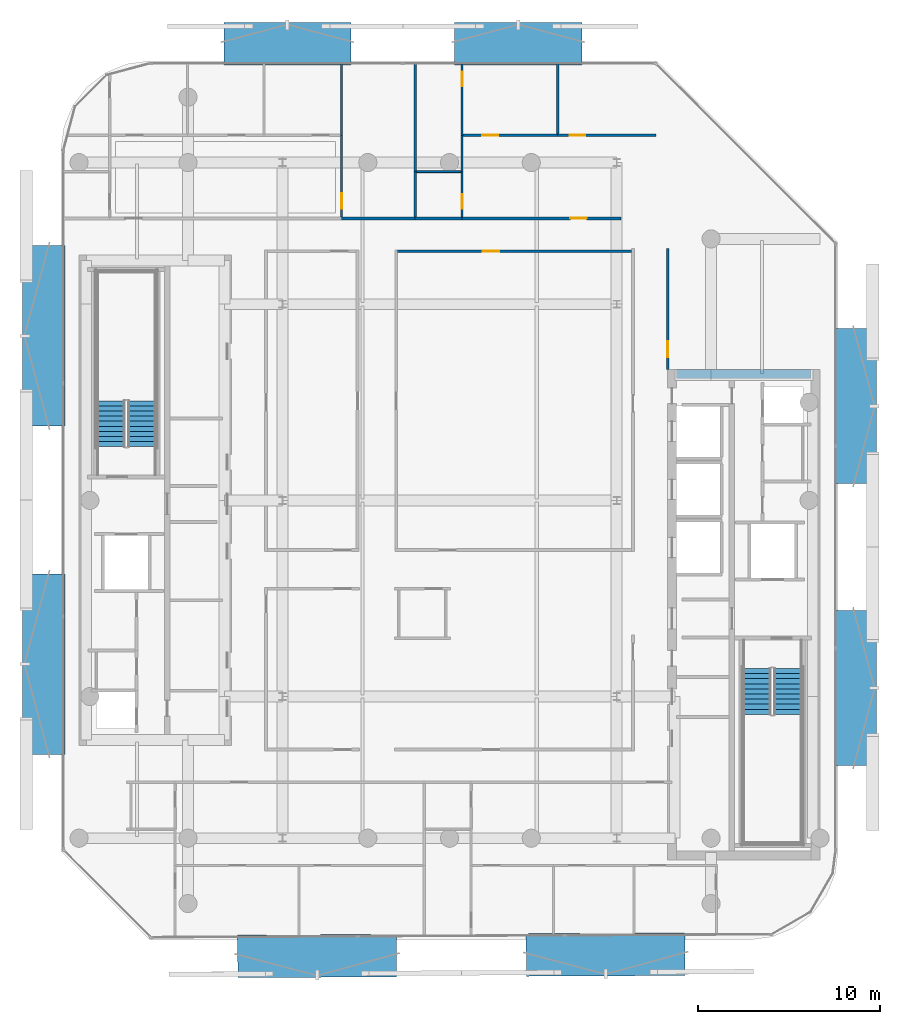
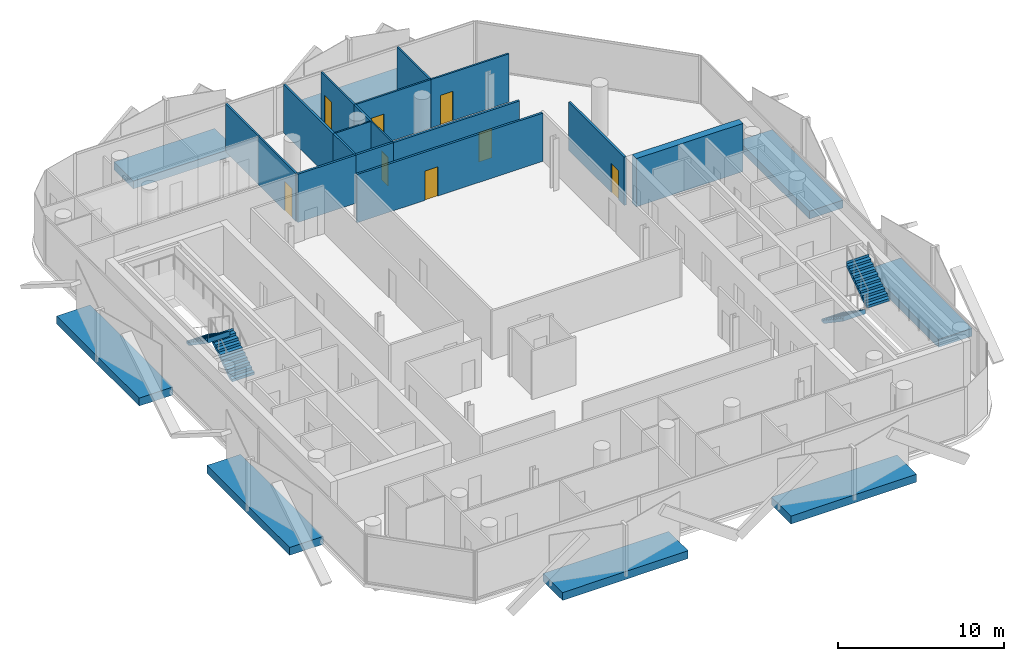
# One storey, part 8 of 16: 17 walls, 8 discrete accessories, 8 doors, 4 stair flights, 8 openings, 2 elements without a shape of their own.
"""IFC4 building model written with IfcOpenShell, lengths in metres."""

from ifc_helpers import new_model, si_unit, direction, frame, frame_2d, origin, origin_2d, place, context, subcontext, project, spatial, polyline, rectangle, outline, extrude, material, layer, layer_set, type_object, element, fill, aggregate, save


model = new_model("IFC4")

# Units and contexts
model_context = context("Model", 3, precision=1e-05, world=origin(), true_north=direction((0.0, 1.0)))
body_context = subcontext(model_context, "Body", "Model", "MODEL_VIEW")
ifc_project = project(units=[si_unit("LENGTHUNIT", "METRE"), si_unit("AREAUNIT", "SQUARE_METRE"), si_unit("VOLUMEUNIT", "CUBIC_METRE"), si_unit("PLANEANGLEUNIT", "RADIAN"), si_unit("MASSUNIT", "GRAM", prefix="KILO")], contexts=[model_context])

# Site, building, storey
site_placement = place(None, origin())
site = spatial("IfcSite", under=ifc_project, at=site_placement, CompositionType="ELEMENT")
building_placement = place(site_placement, origin())
building = spatial("IfcBuilding", under=site, at=building_placement, Name="Khairoan Windgate Tower", CompositionType="ELEMENT")
storey_placement = place(building_placement, frame((0.0, 0.0, 277.60009765625)))
storey = spatial("IfcBuildingStorey", under=building, at=storey_placement, Name="L66", CompositionType="ELEMENT", Elevation=277.60009765625)

# Wall
ifc_material_1 = material(Name="Moisture-Resistant Gypsum Partition", Category="gypsum")
ifc_layer_1 = layer(ifc_material_1, 0.10009765625, Name="Moisture-Resistant Gypsum Partition")
ifc_layer_set_1 = layer_set([ifc_layer_1], Name="Moisture-Resistant Gypsum Partition")
wall_type_1 = type_object("IfcWallType", Name="Bathroom Wet-Area Partition Wall", PredefinedType="PARTITIONING", material=ifc_layer_set_1)
wall_1_placement = place(storey_placement, frame((-1.830078125, 18.10009765625, 0.0), z_axis=(0.0, 0.0, 1.0), x_axis=(1.0, 0.0, 0.0)))
element("IfcWall", 1, at=wall_1_placement, inside=storey, type_object=wall_type_1, Name="L66 Interior Partition 052", PredefinedType="PARTITIONING", context=body_context, shape_type="SweptSolid", body=[
    extrude(rectangle(XDim=2.469970703125, YDim=0.10009765625, at=frame_2d((1.23486328125, 0.0))), origin(), (0.0, 0.0, 1.0), 3.539794921875),
])

# Wall, opening, door
wall_2_placement = place(storey_placement, frame((0.68994140625, 15.60009765625, 0.0), z_axis=(0.0, 0.0, 1.0), x_axis=(0.0, 1.0, 0.0)))
wall_2 = element("IfcWall", 2, at=wall_2_placement, inside=storey, type_object=wall_type_1, Name="L66 Interior Partition 053", PredefinedType="PARTITIONING", context=body_context, shape_type="SweptSolid", body=[
    extrude(rectangle(XDim=2.5, YDim=0.10009765625, at=frame_2d((1.25, 0.0))), origin(), (0.0, 0.0, 1.0), 3.539794921875),
])
opening_1_placement = place(wall_2_placement, frame((0.4599609375, 0.0, 0.0)))
opening_1 = element("IfcOpeningElement", 3, at=opening_1_placement, cuts=wall_2, Name="Opening ID-BTH", PredefinedType="OPENING", context=body_context, shape_type="SweptSolid", body=[
    extrude(rectangle(XDim=0.800048828125, YDim=2.10009765625, at=frame_2d((0.39990234375, 1.050048828125))), frame((0.0, 0.06005859375, 0.0), z_axis=(0.0, -1.0, 0.0), x_axis=(1.0, 0.0, 0.0)), (0.0, 0.0, 1.0), 0.1201171875),
])
ifc_material_2 = material(Name="Teak Veneer Timber Leaf", Category="wood")
door_type_1 = type_object("IfcDoorType", Name="Internal Bathroom Door ID-BTH 800x2100", OperationType="NOTDEFINED", PredefinedType="DOOR", material=ifc_material_2)
door_1_placement = place(opening_1_placement, origin())
door_1 = element("IfcDoor", 4, at=door_1_placement, inside=storey, type_object=door_type_1, Name="L66 L66-42-L66-44 Door", OperationType="SINGLE_SWING_LEFT", OverallHeight=2.10009765625, OverallWidth=0.800048828125, PredefinedType="DOOR", context=body_context, shape_type="SweptSolid", body=[
    extrude(rectangle(XDim=0.800048828125, YDim=2.10009765625, at=frame_2d((0.39990234375, 1.050048828125))), frame((0.0, 0.02490234375, 0.0), z_axis=(0.0, -1.0, 0.0), x_axis=(1.0, 0.0, 0.0)), (0.0, 0.0, 1.0), 0.050048828125),
])
fill(opening_1, door_1)

# Walls
ifc_material_3 = material(Name="Acoustic Fire-Rated Gypsum Partition", Category="gypsum")
ifc_layer_2 = layer(ifc_material_3, 0.139892578125, Name="Acoustic Fire-Rated Gypsum Partition")
ifc_layer_set_2 = layer_set([ifc_layer_2], Name="Acoustic Fire-Rated Gypsum Partition")
wall_type_2 = type_object("IfcWallType", Name="Inter-Tenancy Compartment Wall", PredefinedType="PARTITIONING", material=ifc_layer_set_2)
wall_3_placement = place(storey_placement, frame((-1.89990234375, 15.60009765625, 0.0), z_axis=(0.0, 0.0, 1.0), x_axis=(0.0, 1.0, 0.0)))
element("IfcWall", 5, at=wall_3_placement, inside=storey, type_object=wall_type_2, Name="L66 Interior Partition 048", PredefinedType="PARTITIONING", context=body_context, shape_type="SweptSolid", body=[
    extrude(rectangle(XDim=2.5, YDim=0.139892578125, at=frame_2d((1.25, 0.0))), origin(), (0.0, 0.0, 1.0), 3.539794921875),
])
wall_4_placement = place(storey_placement, frame((-1.89990234375, 18.10009765625, 0.0), z_axis=(0.0, 0.0, 1.0), x_axis=(0.0, 1.0, 0.0)))
element("IfcWall", 6, at=wall_4_placement, inside=storey, type_object=wall_type_2, Name="L66 Interior Partition 049", PredefinedType="PARTITIONING", context=body_context, shape_type="SweptSolid", body=[
    extrude(rectangle(XDim=5.954833984375, YDim=0.139892578125, at=frame_2d((2.9775390625, 0.0))), origin(), (0.0, 0.0, 1.0), 3.539794921875),
])

# Wall, opening, door
ifc_material_4 = material(Name="Gypsum Stud Partition", Category="gypsum")
ifc_layer_3 = layer(ifc_material_4, 0.1201171875, Name="Gypsum Stud Partition")
ifc_layer_set_3 = layer_set([ifc_layer_3], Name="Gypsum Stud Partition")
wall_type_3 = type_object("IfcWallType", Name="Internal Room Partition Wall", PredefinedType="PARTITIONING", material=ifc_layer_set_3)
wall_5_placement = place(storey_placement, frame((-5.93994140625, 15.60009765625, 0.0), z_axis=(0.0, 0.0, 1.0), x_axis=(0.0, 1.0, 0.0)))
wall_5 = element("IfcWall", 7, at=wall_5_placement, inside=storey, type_object=wall_type_3, Name="L66 Interior Partition 043", PredefinedType="PARTITIONING", context=body_context, shape_type="SweptSolid", body=[
    extrude(rectangle(XDim=4.5, YDim=0.1201171875, at=frame_2d((2.25, 0.0))), origin(), (0.0, 0.0, 1.0), 3.539794921875),
])
opening_2_placement = place(wall_5_placement, frame((0.4599609375, 0.0, 0.0)))
opening_2 = element("IfcOpeningElement", 8, at=opening_2_placement, cuts=wall_5, Name="Opening ID-RM", PredefinedType="OPENING", context=body_context, shape_type="SweptSolid", body=[
    extrude(rectangle(XDim=0.860107421875, YDim=2.14990234375, at=frame_2d((0.43017578125, 1.074951171875))), frame((0.0, 0.070068359375, 0.0), z_axis=(0.0, -1.0, 0.0), x_axis=(1.0, 0.0, 0.0)), (0.0, 0.0, 1.0), 0.14013671875),
])
ifc_material_5 = material(Name="Teak Veneer Timber Leaf", Category="wood")
door_type_2 = type_object("IfcDoorType", Name="Internal Bedroom and Office Door ID-RM 860x2150", OperationType="NOTDEFINED", PredefinedType="DOOR", material=ifc_material_5)
door_2_placement = place(opening_2_placement, origin())
door_2 = element("IfcDoor", 9, at=door_2_placement, inside=storey, type_object=door_type_2, Name="L66 L66-37-L66-38 Door", OperationType="SINGLE_SWING_LEFT", OverallHeight=2.14990234375, OverallWidth=0.860107421875, PredefinedType="DOOR", context=body_context, shape_type="SweptSolid", body=[
    extrude(rectangle(XDim=0.860107421875, YDim=2.14990234375, at=frame_2d((0.43017578125, 1.074951171875))), frame((0.0, 0.02490234375, 0.0), z_axis=(0.0, -1.0, 0.0), x_axis=(1.0, 0.0, 0.0)), (0.0, 0.0, 1.0), 0.050048828125),
])
fill(opening_2, door_2)

# Walls
wall_6_placement = place(storey_placement, frame((-5.93994140625, 20.10009765625, 0.0), z_axis=(0.0, 0.0, 1.0), x_axis=(0.0, 1.0, 0.0)))
element("IfcWall", 10, at=wall_6_placement, inside=storey, type_object=wall_type_3, Name="L66 Interior Partition 047", PredefinedType="PARTITIONING", context=body_context, shape_type="SweptSolid", body=[
    extrude(rectangle(XDim=3.954833984375, YDim=0.1201171875, at=frame_2d((1.9775390625, 0.0))), origin(), (0.0, 0.0, 1.0), 3.539794921875),
])
wall_7_placement = place(storey_placement, frame((0.68994140625, 18.10009765625, 0.0), z_axis=(0.0, 0.0, 1.0), x_axis=(0.0, 1.0, 0.0)))
element("IfcWall", 11, at=wall_7_placement, inside=storey, type_object=wall_type_3, Name="L66 Interior Partition 054", PredefinedType="PARTITIONING", context=body_context, shape_type="SweptSolid", body=[
    extrude(rectangle(XDim=2.0, YDim=0.1201171875, at=frame_2d((1.0, 0.0))), origin(), (0.0, 0.0, 1.0), 3.539794921875),
])

# Wall, opening, door
wall_8_placement = place(storey_placement, frame((0.68994140625, 20.10009765625, 0.0), z_axis=(0.0, 0.0, 1.0), x_axis=(0.0, 1.0, 0.0)))
wall_8 = element("IfcWall", 12, at=wall_8_placement, inside=storey, type_object=wall_type_3, Name="L66 Interior Partition 055", PredefinedType="PARTITIONING", context=body_context, shape_type="SweptSolid", body=[
    extrude(rectangle(XDim=3.954833984375, YDim=0.1201171875, at=frame_2d((1.9775390625, 0.0))), origin(), (0.0, 0.0, 1.0), 3.539794921875),
])
opening_3_placement = place(wall_8_placement, frame((2.695068359375, 0.0, 0.0)))
opening_3 = element("IfcOpeningElement", 13, at=opening_3_placement, cuts=wall_8, Name="Opening ID-BTH", PredefinedType="OPENING", context=body_context, shape_type="SweptSolid", body=[
    extrude(rectangle(XDim=0.800048828125, YDim=2.10009765625, at=frame_2d((0.39990234375, 1.050048828125))), frame((0.0, 0.070068359375, 0.0), z_axis=(0.0, -1.0, 0.0), x_axis=(1.0, 0.0, 0.0)), (0.0, 0.0, 1.0), 0.14013671875),
])
door_3_placement = place(opening_3_placement, origin())
door_3 = element("IfcDoor", 14, at=door_3_placement, inside=storey, type_object=door_type_1, Name="L66 L66-43-L66-45 Door", OperationType="SINGLE_SWING_RIGHT", OverallHeight=2.10009765625, OverallWidth=0.800048828125, PredefinedType="DOOR", context=body_context, shape_type="SweptSolid", body=[
    extrude(rectangle(XDim=0.800048828125, YDim=2.10009765625, at=frame_2d((0.39990234375, 1.050048828125))), frame((0.0, 0.02490234375, 0.0), z_axis=(0.0, -1.0, 0.0), x_axis=(1.0, 0.0, 0.0)), (0.0, 0.0, 1.0), 0.050048828125),
])
fill(opening_3, door_3)

wall_9_placement = place(storey_placement, frame((0.75, 20.10009765625, 0.0), z_axis=(0.0, 0.0, 1.0), x_axis=(1.0, 0.0, 0.0)))
wall_9 = element("IfcWall", 15, at=wall_9_placement, inside=storey, type_object=wall_type_3, Name="L66 Interior Partition 056", PredefinedType="PARTITIONING", context=body_context, shape_type="SweptSolid", body=[
    extrude(rectangle(XDim=5.205078125, YDim=0.1201171875, at=frame_2d((2.6025390625, 0.0))), origin(), (0.0, 0.0, 1.0), 3.539794921875),
])
opening_4_placement = place(wall_9_placement, frame((1.064453125, 0.0, 0.0)))
opening_4 = element("IfcOpeningElement", 16, at=opening_4_placement, cuts=wall_9, Name="Opening ID-RM", PredefinedType="OPENING", context=body_context, shape_type="SweptSolid", body=[
    extrude(rectangle(XDim=0.860107421875, YDim=2.14990234375, at=frame_2d((0.43017578125, 1.074951171875))), frame((0.0, 0.070068359375, 0.0), z_axis=(0.0, -1.0, 0.0), x_axis=(1.0, 0.0, 0.0)), (0.0, 0.0, 1.0), 0.14013671875),
])
door_4_placement = place(opening_4_placement, origin())
door_4 = element("IfcDoor", 17, at=door_4_placement, inside=storey, type_object=door_type_2, Name="L66 L66-44-L66-45 Door", OperationType="SINGLE_SWING_LEFT", OverallHeight=2.14990234375, OverallWidth=0.860107421875, PredefinedType="DOOR", context=body_context, shape_type="SweptSolid", body=[
    extrude(rectangle(XDim=0.860107421875, YDim=2.14990234375, at=frame_2d((0.43017578125, 1.074951171875))), frame((0.0, 0.02490234375, 0.0), z_axis=(0.0, -1.0, 0.0), x_axis=(1.0, 0.0, 0.0)), (0.0, 0.0, 1.0), 0.050048828125),
])
fill(opening_4, door_4)

wall_10_placement = place(storey_placement, frame((5.955078125, 20.10009765625, 0.0), z_axis=(0.0, 0.0, 1.0), x_axis=(1.0, 0.0, 0.0)))
wall_10 = element("IfcWall", 18, at=wall_10_placement, inside=storey, type_object=wall_type_3, Name="L66 Interior Partition 057", PredefinedType="PARTITIONING", context=body_context, shape_type="SweptSolid", body=[
    extrude(rectangle(XDim=5.4248046875, YDim=0.1201171875, at=frame_2d((2.71240234375, 0.0))), origin(), (0.0, 0.0, 1.0), 3.539794921875),
])
opening_5_placement = place(wall_10_placement, frame((0.66259765625, 0.0, 0.0)))
opening_5 = element("IfcOpeningElement", 19, at=opening_5_placement, cuts=wall_10, Name="Opening ID-RM", PredefinedType="OPENING", context=body_context, shape_type="SweptSolid", body=[
    extrude(rectangle(XDim=0.860107421875, YDim=2.14990234375, at=frame_2d((0.43017578125, 1.074951171875))), frame((0.0, 0.070068359375, 0.0), z_axis=(0.0, -1.0, 0.0), x_axis=(1.0, 0.0, 0.0)), (0.0, 0.0, 1.0), 0.14013671875),
])
door_5_placement = place(opening_5_placement, origin())
door_5 = element("IfcDoor", 20, at=door_5_placement, inside=storey, type_object=door_type_2, Name="L66 L66-44-L66-46 Door", OperationType="SINGLE_SWING_RIGHT", OverallHeight=2.14990234375, OverallWidth=0.860107421875, PredefinedType="DOOR", context=body_context, shape_type="SweptSolid", body=[
    extrude(rectangle(XDim=0.860107421875, YDim=2.14990234375, at=frame_2d((0.43017578125, 1.074951171875))), frame((0.0, 0.02490234375, 0.0), z_axis=(0.0, -1.0, 0.0), x_axis=(1.0, 0.0, 0.0)), (0.0, 0.0, 1.0), 0.050048828125),
])
fill(opening_5, door_5)

# Wall
wall_11_placement = place(storey_placement, frame((5.955078125, 20.159912109375, 0.0), z_axis=(0.0, 0.0, 1.0), x_axis=(0.0, 1.0, 0.0)))
element("IfcWall", 21, at=wall_11_placement, inside=storey, type_object=wall_type_3, Name="L66 Interior Partition 058", PredefinedType="PARTITIONING", context=body_context, shape_type="SweptSolid", body=[
    extrude(rectangle(XDim=3.89501953125, YDim=0.1201171875, at=frame_2d((1.947509765625, 0.0))), origin(), (0.0, 0.0, 1.0), 3.539794921875),
])

# Wall, opening, door
ifc_material_6 = material(Name="Acoustic Fire-Rated Gypsum Partition", Category="gypsum")
ifc_layer_4 = layer(ifc_material_6, 0.14990234375, Name="Acoustic Fire-Rated Gypsum Partition")
ifc_layer_set_4 = layer_set([ifc_layer_4], Name="Acoustic Fire-Rated Gypsum Partition")
wall_type_4 = type_object("IfcWallType", Name="Rated Corridor Partition Wall", PredefinedType="PARTITIONING", material=ifc_layer_set_4)
wall_12_placement = place(storey_placement, frame((12.014892578125, 7.199951171875, 0.0), z_axis=(0.0, 0.0, 1.0), x_axis=(0.0, 1.0, 0.0)))
wall_12 = element("IfcWall", 22, at=wall_12_placement, inside=storey, type_object=wall_type_4, Name="L66 Interior Partition 017", PredefinedType="PARTITIONING", context=body_context, shape_type="SweptSolid", body=[
    extrude(rectangle(XDim=6.679931640625, YDim=0.14990234375, at=frame_2d((3.33984375, 0.0))), origin(), (0.0, 0.0, 1.0), 3.539794921875),
])
opening_6_placement = place(wall_12_placement, frame((0.669921875, 0.0, 0.0)))
opening_6 = element("IfcOpeningElement", 23, at=opening_6_placement, cuts=wall_12, Name="Opening FD-ENT", PredefinedType="OPENING", context=body_context, shape_type="SweptSolid", body=[
    extrude(rectangle(XDim=0.89990234375, YDim=2.14990234375, at=frame_2d((0.449951171875, 1.074951171875))), frame((0.0, 0.0849609375, 0.0), z_axis=(0.0, -1.0, 0.0), x_axis=(1.0, 0.0, 0.0)), (0.0, 0.0, 1.0), 0.169921875),
])
ifc_material_7 = material(Name="Timber Fire-Rated Core", Category="wood")
door_type_3 = type_object("IfcDoorType", Name="Unit and Office Fire Entrance Door FD-ENT 900x2150", OperationType="NOTDEFINED", PredefinedType="DOOR", material=ifc_material_7)
door_6_placement = place(opening_6_placement, origin())
door_6 = element("IfcDoor", 24, at=door_6_placement, inside=storey, type_object=door_type_3, Name="L66 L66-30-L66-59 Door", OperationType="SINGLE_SWING_RIGHT", OverallHeight=2.14990234375, OverallWidth=0.89990234375, PredefinedType="DOOR", context=body_context, shape_type="SweptSolid", body=[
    extrude(rectangle(XDim=0.89990234375, YDim=2.14990234375, at=frame_2d((0.449951171875, 1.074951171875))), frame((0.0, 0.02490234375, 0.0), z_axis=(0.0, -1.0, 0.0), x_axis=(1.0, 0.0, 0.0)), (0.0, 0.0, 1.0), 0.050048828125),
])
fill(opening_6, door_6)

# Walls
wall_13_placement = place(storey_placement, frame((-5.93994140625, 15.52490234375, 0.0), z_axis=(0.0, 0.0, 1.0), x_axis=(1.0, 0.0, 0.0)))
element("IfcWall", 25, at=wall_13_placement, inside=storey, type_object=wall_type_4, Name="L66 Interior Partition 028", PredefinedType="PARTITIONING", context=body_context, shape_type="SweptSolid", body=[
    extrude(rectangle(XDim=4.0400390625, YDim=0.14990234375, at=frame_2d((2.02001953125, 0.0))), origin(), (0.0, 0.0, 1.0), 3.539794921875),
])
wall_14_placement = place(storey_placement, frame((-1.89990234375, 15.52490234375, 0.0), z_axis=(0.0, 0.0, 1.0), x_axis=(1.0, 0.0, 0.0)))
element("IfcWall", 26, at=wall_14_placement, inside=storey, type_object=wall_type_4, Name="L66 Interior Partition 029", PredefinedType="PARTITIONING", context=body_context, shape_type="SweptSolid", body=[
    extrude(rectangle(XDim=2.58984375, YDim=0.14990234375, at=frame_2d((1.294921875, 0.0))), origin(), (0.0, 0.0, 1.0), 3.539794921875),
])

# Wall, opening, door
wall_15_placement = place(storey_placement, frame((0.68994140625, 15.52490234375, 0.0), z_axis=(0.0, 0.0, 1.0), x_axis=(1.0, 0.0, 0.0)))
wall_15 = element("IfcWall", 27, at=wall_15_placement, inside=storey, type_object=wall_type_4, Name="L66 Interior Partition 030", PredefinedType="PARTITIONING", context=body_context, shape_type="SweptSolid", body=[
    extrude(rectangle(XDim=8.75, YDim=0.14990234375, at=frame_2d((4.375, 0.0))), origin(), (0.0, 0.0, 1.0), 3.539794921875),
])
opening_7_placement = place(wall_15_placement, frame((5.963134765625, 0.0, 0.0)))
opening_7 = element("IfcOpeningElement", 28, at=opening_7_placement, cuts=wall_15, Name="Opening FD-ENT", PredefinedType="OPENING", context=body_context, shape_type="SweptSolid", body=[
    extrude(rectangle(XDim=0.89990234375, YDim=2.14990234375, at=frame_2d((0.449951171875, 1.074951171875))), frame((0.0, 0.0849609375, 0.0), z_axis=(0.0, -1.0, 0.0), x_axis=(1.0, 0.0, 0.0)), (0.0, 0.0, 1.0), 0.169921875),
])
door_7_placement = place(opening_7_placement, origin())
door_7 = element("IfcDoor", 29, at=door_7_placement, inside=storey, type_object=door_type_3, Name="L66 L66-33-L66-44 Door", OperationType="SINGLE_SWING_RIGHT", OverallHeight=2.14990234375, OverallWidth=0.89990234375, PredefinedType="DOOR", context=body_context, shape_type="SweptSolid", body=[
    extrude(rectangle(XDim=0.89990234375, YDim=2.14990234375, at=frame_2d((0.449951171875, 1.074951171875))), frame((0.0, 0.02490234375, 0.0), z_axis=(0.0, -1.0, 0.0), x_axis=(1.0, 0.0, 0.0)), (0.0, 0.0, 1.0), 0.050048828125),
])
fill(opening_7, door_7)

wall_16_placement = place(storey_placement, frame((-2.860107421875, 13.719970703125, 0.0), z_axis=(0.0, 0.0, 1.0), x_axis=(1.0, 0.0, 0.0)))
wall_16 = element("IfcWall", 30, at=wall_16_placement, inside=storey, type_object=wall_type_4, Name="L66 Interior Partition 032", PredefinedType="PARTITIONING", context=body_context, shape_type="SweptSolid", body=[
    extrude(rectangle(XDim=12.885009765625, YDim=0.14990234375, at=frame_2d((6.4423828125, 0.0))), origin(), (0.0, 0.0, 1.0), 3.539794921875),
])
opening_8_placement = place(wall_16_placement, frame((4.6923828125, 0.0, 0.0)))
opening_8 = element("IfcOpeningElement", 31, at=opening_8_placement, cuts=wall_16, Name="Opening FD-ENT", PredefinedType="OPENING", context=body_context, shape_type="SweptSolid", body=[
    extrude(rectangle(XDim=0.89990234375, YDim=2.14990234375, at=frame_2d((0.449951171875, 1.074951171875))), frame((0.0, 0.0849609375, 0.0), z_axis=(0.0, -1.0, 0.0), x_axis=(1.0, 0.0, 0.0)), (0.0, 0.0, 1.0), 0.169921875),
])
door_8_placement = place(opening_8_placement, origin())
door_8 = element("IfcDoor", 32, at=door_8_placement, inside=storey, type_object=door_type_3, Name="L66 L66-33-L66-62 Door", OperationType="SINGLE_SWING_RIGHT", OverallHeight=2.14990234375, OverallWidth=0.89990234375, PredefinedType="DOOR", context=body_context, shape_type="SweptSolid", body=[
    extrude(rectangle(XDim=0.89990234375, YDim=2.14990234375, at=frame_2d((0.449951171875, 1.074951171875))), frame((0.0, 0.02490234375, 0.0), z_axis=(0.0, -1.0, 0.0), x_axis=(1.0, 0.0, 0.0)), (0.0, 0.0, 1.0), 0.050048828125),
])
fill(opening_8, door_8)

# Wall
ifc_material_8 = material(Name="Concrete C50/60", Category="concrete")
ifc_layer_5 = layer(ifc_material_8, 0.5, Name="Concrete C50/60")
ifc_layer_set_5 = layer_set([ifc_layer_5], Name="Concrete C50/60")
wall_type_5 = type_object("IfcWallType", Name="Shear Wall CW-E3 500mm", PredefinedType="SHEAR", material=ifc_layer_set_5)
wall_17_placement = place(storey_placement, frame((12.5, 6.949951171875, 0.0), z_axis=(0.0, 0.0, 1.0), x_axis=(1.0, 0.0, 0.0)))
element("IfcWall", 33, at=wall_17_placement, inside=storey, type_object=wall_type_5, Name="E Core North Shear Wall L66", PredefinedType="SHEAR", context=body_context, shape_type="SweptSolid", body=[
    extrude(rectangle(XDim=7.39990234375, YDim=0.5, at=frame_2d((3.699951171875, 0.0))), origin(), (0.0, 0.0, 1.0), 3.539794921875),
])

# Stair, stair flights
ifc_material_9 = material(Name="Concrete C40/50", Category="concrete")
stair_type = type_object("IfcStairType", Name="Tower Core Dog-Leg Stair ST-T1 1560mm", PredefinedType="HALF_TURN_STAIR", material=ifc_material_9)
stair_1_placement = place(storey_placement, origin())
stair_1 = element("IfcStair", 34, at=stair_1_placement, inside=storey, type_object=stair_type, Name="L66 Stair ST1", PredefinedType="HALF_TURN_STAIR")
ifc_material_10 = material(Name="Concrete C40/50", Category="concrete")
ifc_layer_6 = layer(ifc_material_10, 0.14990234375, Name="Concrete C40/50")
ifc_layer_set_6 = layer_set([ifc_layer_6], Name="Concrete C40/50")
stair_flight_type = type_object("IfcStairFlightType", Name="Tower Core Stair Flight STF-1560", PredefinedType="STRAIGHT", material=ifc_layer_set_6)
stair_flight_1_placement = place(storey_placement, frame((16.929931640625, -9.260009765625, 0.0), z_axis=(0.0, 0.0, 1.0), x_axis=(0.0, -1.0, 0.0)))
stair_flight_1 = element("IfcStairFlight", 35, at=stair_flight_1_placement, type_object=stair_flight_type, Name="ST1 flight 1", NumberOfRisers=10, NumberOfTreads=9, PredefinedType="STRAIGHT", RiserHeight=0.19, TreadLength=0.28, context=body_context, shape_type="SweptSolid", body=[
    extrude(outline(polyline([(-0.00390625, 0.0), (-0.00390625, 0.18994140625), (0.0, 0.18994140625), (0.280029296875, 0.18994140625), (0.280029296875, 0.3798828125), (0.56005859375, 0.3798828125), (0.56005859375, 0.570068359375), (0.840087890625, 0.570068359375), (0.840087890625, 0.760009765625), (1.1201171875, 0.760009765625), (1.1201171875, 0.949951171875), (1.39990234375, 0.949951171875), (1.39990234375, 1.139892578125), (1.679931640625, 1.139892578125), (1.679931640625, 1.330078125), (1.9599609375, 1.330078125), (1.9599609375, 1.52001953125), (2.239990234375, 1.52001953125), (2.239990234375, 1.7099609375), (2.52001953125, 1.7099609375), (2.52001953125, 1.89990234375), (2.52392578125, 1.89990234375), (2.52392578125, 1.52880859375), (0.266845703125, 0.0), (-0.00390625, 0.0)])), frame((0.0, 0.780029296875, 0.0), z_axis=(0.0, -1.0, 0.0), x_axis=(1.0, 0.0, 0.0)), (0.0, 0.0, 1.0), 1.56005859375),
])
stair_flight_2_placement = place(storey_placement, frame((18.639892578125, -11.780029296875, 1.89990234375), z_axis=(0.0, 0.0, 1.0), x_axis=(0.0, 1.0, 0.0)))
stair_flight_2 = element("IfcStairFlight", 36, at=stair_flight_2_placement, type_object=stair_flight_type, Name="ST1 flight 2", NumberOfRisers=10, NumberOfTreads=9, PredefinedType="STRAIGHT", RiserHeight=0.19, TreadLength=0.28, context=body_context, shape_type="SweptSolid", body=[
    extrude(outline(polyline([(-0.00390625, 0.0), (-0.00390625, 0.18994140625), (0.0, 0.18994140625), (0.280029296875, 0.18994140625), (0.280029296875, 0.3798828125), (0.56005859375, 0.3798828125), (0.56005859375, 0.570068359375), (0.840087890625, 0.570068359375), (0.840087890625, 0.760009765625), (1.1201171875, 0.760009765625), (1.1201171875, 0.949951171875), (1.39990234375, 0.949951171875), (1.39990234375, 1.139892578125), (1.679931640625, 1.139892578125), (1.679931640625, 1.330078125), (1.9599609375, 1.330078125), (1.9599609375, 1.52001953125), (2.239990234375, 1.52001953125), (2.239990234375, 1.7099609375), (2.52001953125, 1.7099609375), (2.52001953125, 1.89990234375), (2.52392578125, 1.89990234375), (2.52392578125, 1.52880859375), (0.266845703125, 0.0), (-0.00390625, 0.0)])), frame((0.0, 0.780029296875, 0.0), z_axis=(0.0, -1.0, 0.0), x_axis=(1.0, 0.0, 0.0)), (0.0, 0.0, 1.0), 1.56005859375),
])
aggregate(stair_1, [stair_flight_1, stair_flight_2])

stair_2_placement = place(storey_placement, origin())
stair_2 = element("IfcStair", 37, at=stair_2_placement, inside=storey, type_object=stair_type, Name="L66 Stair ST2", PredefinedType="HALF_TURN_STAIR")
stair_flight_3_placement = place(storey_placement, frame((-16.929931640625, 2.9599609375, 0.0), z_axis=(0.0, 0.0, 1.0), x_axis=(0.0, 1.0, 0.0)))
stair_flight_3 = element("IfcStairFlight", 38, at=stair_flight_3_placement, type_object=stair_flight_type, Name="ST2 flight 1", NumberOfRisers=10, NumberOfTreads=9, PredefinedType="STRAIGHT", RiserHeight=0.19, TreadLength=0.28, context=body_context, shape_type="SweptSolid", body=[
    extrude(outline(polyline([(-0.00390625, 0.0), (-0.00390625, 0.18994140625), (0.0, 0.18994140625), (0.280029296875, 0.18994140625), (0.280029296875, 0.3798828125), (0.56005859375, 0.3798828125), (0.56005859375, 0.570068359375), (0.840087890625, 0.570068359375), (0.840087890625, 0.760009765625), (1.1201171875, 0.760009765625), (1.1201171875, 0.949951171875), (1.39990234375, 0.949951171875), (1.39990234375, 1.139892578125), (1.679931640625, 1.139892578125), (1.679931640625, 1.330078125), (1.9599609375, 1.330078125), (1.9599609375, 1.52001953125), (2.239990234375, 1.52001953125), (2.239990234375, 1.7099609375), (2.52001953125, 1.7099609375), (2.52001953125, 1.89990234375), (2.52392578125, 1.89990234375), (2.52392578125, 1.52880859375), (0.266845703125, 0.0), (-0.00390625, 0.0)])), frame((0.0, 0.780029296875, 0.0), z_axis=(0.0, -1.0, 0.0), x_axis=(1.0, 0.0, 0.0)), (0.0, 0.0, 1.0), 1.56005859375),
])
stair_flight_4_placement = place(storey_placement, frame((-18.639892578125, 5.47998046875, 1.89990234375), z_axis=(0.0, 0.0, 1.0), x_axis=(0.0, -1.0, 0.0)))
stair_flight_4 = element("IfcStairFlight", 39, at=stair_flight_4_placement, type_object=stair_flight_type, Name="ST2 flight 2", NumberOfRisers=10, NumberOfTreads=9, PredefinedType="STRAIGHT", RiserHeight=0.19, TreadLength=0.28, context=body_context, shape_type="SweptSolid", body=[
    extrude(outline(polyline([(-0.00390625, 0.0), (-0.00390625, 0.18994140625), (0.0, 0.18994140625), (0.280029296875, 0.18994140625), (0.280029296875, 0.3798828125), (0.56005859375, 0.3798828125), (0.56005859375, 0.570068359375), (0.840087890625, 0.570068359375), (0.840087890625, 0.760009765625), (1.1201171875, 0.760009765625), (1.1201171875, 0.949951171875), (1.39990234375, 0.949951171875), (1.39990234375, 1.139892578125), (1.679931640625, 1.139892578125), (1.679931640625, 1.330078125), (1.9599609375, 1.330078125), (1.9599609375, 1.52001953125), (2.239990234375, 1.52001953125), (2.239990234375, 1.7099609375), (2.52001953125, 1.7099609375), (2.52001953125, 1.89990234375), (2.52392578125, 1.89990234375), (2.52392578125, 1.52880859375), (0.266845703125, 0.0), (-0.00390625, 0.0)])), frame((0.0, 0.780029296875, 0.0), z_axis=(0.0, -1.0, 0.0), x_axis=(1.0, 0.0, 0.0)), (0.0, 0.0, 1.0), 1.56005859375),
])
aggregate(stair_2, [stair_flight_3, stair_flight_4])

# Discrete accessories
ifc_material_11 = material(Name="Steel S355", Category="steel")
discrete_accessory_type = type_object("IfcDiscreteAccessoryType", Name="Solar Screen Outrigger Slab Bracket SSB-1", PredefinedType="BRACKET", material=ifc_material_11)
for number, where, z_axis, x_axis, name in (
    (40, (8.593505859375, -25.01025390625, -0.420166015625), (0.0, 0.0, 1.0), (-0.999988896716, -0.004712371539, 0.0), "L66 Solar Screen Outrigger Bracket 454"),
    (41, (-7.29345703125, -25.086181640625, -0.420166015625), (0.0, 0.0, 1.0), (-0.999988896716, -0.004712371539, 0.0), "L66 Solar Screen Outrigger Bracket 455"),
):
    element("IfcDiscreteAccessory", number, at=place(storey_placement, frame(where, z_axis=z_axis, x_axis=x_axis)), inside=storey, type_object=discrete_accessory_type, Name=name, PredefinedType="BRACKET", context=body_context, shape_type="SweptSolid", body=[
        extrude(rectangle(XDim=8.738037109375, YDim=2.340087890625, at=origin_2d()), origin(), (0.0, 0.0, 1.0), 0.580078125),
    ])
for number, where, z_axis, x_axis, name in (
    (42, (-22.330078125, -9.0087890625, -0.420166015625), (0.0, 0.0, 1.0), (0.0, 1.0, 0.0), "L66 Solar Screen Outrigger Bracket 456"),
    (43, (-22.330078125, 9.0576171875, -0.420166015625), (0.0, 0.0, 1.0), (0.0, 1.0, 0.0), "L66 Solar Screen Outrigger Bracket 457"),
):
    element("IfcDiscreteAccessory", number, at=place(storey_placement, frame(where, z_axis=z_axis, x_axis=x_axis)), inside=storey, type_object=discrete_accessory_type, Name=name, PredefinedType="BRACKET", context=body_context, shape_type="SweptSolid", body=[
        extrude(rectangle(XDim=9.93701171875, YDim=2.340087890625, at=origin_2d()), origin(), (0.0, 0.0, 1.0), 0.580078125),
    ])
for number, where, z_axis, x_axis, name in (
    (44, (-8.9326171875, 25.1298828125, -0.420166015625), (0.0, 0.0, 1.0), (1.0, 0.0, 0.0), "L66 Solar Screen Outrigger Bracket 458"),
    (45, (3.78369140625, 25.1298828125, -0.420166015625), (0.0, 0.0, 1.0), (1.0, 0.0, 0.0), "L66 Solar Screen Outrigger Bracket 459"),
):
    element("IfcDiscreteAccessory", number, at=place(storey_placement, frame(where, z_axis=z_axis, x_axis=x_axis)), inside=storey, type_object=discrete_accessory_type, Name=name, PredefinedType="BRACKET", context=body_context, shape_type="SweptSolid", body=[
        extrude(rectangle(XDim=6.993896484375, YDim=2.340087890625, at=origin_2d()), origin(), (0.0, 0.0, 1.0), 0.580078125),
    ])
for number, where, z_axis, x_axis, name in (
    (46, (22.330078125, 5.183837890625, -0.420166015625), (0.0, 0.0, 1.0), (0.0, -1.0, 0.0), "L66 Solar Screen Outrigger Bracket 460"),
    (47, (22.330078125, -10.33251953125, -0.420166015625), (0.0, 0.0, 1.0), (0.0, -1.0, 0.0), "L66 Solar Screen Outrigger Bracket 461"),
):
    element("IfcDiscreteAccessory", number, at=place(storey_placement, frame(where, z_axis=z_axis, x_axis=x_axis)), inside=storey, type_object=discrete_accessory_type, Name=name, PredefinedType="BRACKET", context=body_context, shape_type="SweptSolid", body=[
        extrude(rectangle(XDim=8.533935546875, YDim=2.340087890625, at=origin_2d()), origin(), (0.0, 0.0, 1.0), 0.580078125),
    ])

save(model, "model.ifc")
